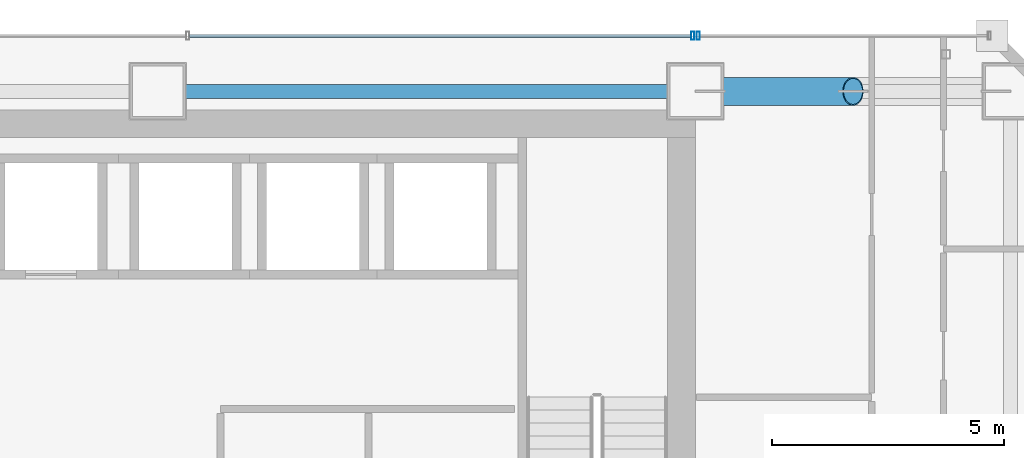
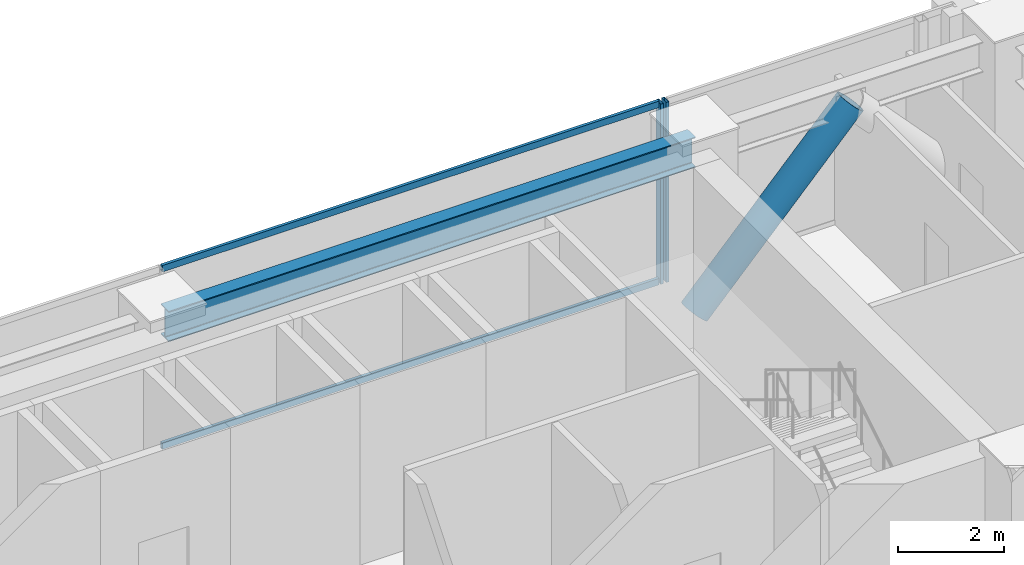
# One storey, part 31 of 40: 5 members, 1 beam, 2 elements without a shape of their own.
"""IFC4 building model written with IfcOpenShell, lengths in metres."""

from ifc_helpers import new_model, si_unit, direction, frame, origin, origin_2d, place, context, subcontext, project, spatial, hollow_rectangle, hollow_circle, i_section, extrude, material, material_profile, profile_set, type_object, element, aggregate, save


model = new_model("IFC4")

# Units and contexts
model_context = context("Model", 3, precision=1e-05, world=origin(), true_north=direction((0.0, 1.0)))
body_context = subcontext(model_context, "Body", "Model", "MODEL_VIEW")
ifc_project = project(units=[si_unit("LENGTHUNIT", "METRE"), si_unit("AREAUNIT", "SQUARE_METRE"), si_unit("VOLUMEUNIT", "CUBIC_METRE"), si_unit("PLANEANGLEUNIT", "RADIAN"), si_unit("MASSUNIT", "GRAM", prefix="KILO")], contexts=[model_context])

# Site, building, storey
site_placement = place(None, origin())
site = spatial("IfcSite", under=ifc_project, at=site_placement, CompositionType="ELEMENT")
building_placement = place(site_placement, origin())
building = spatial("IfcBuilding", under=site, at=building_placement, Name="Saevonmaru Cultural Tower", CompositionType="ELEMENT")
storey_placement = place(building_placement, frame((0.0, 0.0, 97.199951171875)))
storey = spatial("IfcBuildingStorey", under=building, at=storey_placement, Name="L20", CompositionType="ELEMENT", Elevation=97.199951171875)

# Beam
ifc_material_1 = material(Name="Steel SM355", Category="steel")
ifc_material_profile_1 = material_profile(ifc_material_1, i_section(OverallWidth=0.300048828125, OverallDepth=0.699951171875, WebThickness=0.012939453125, FlangeThickness=0.02392578125, FilletRadius=0.02587890625, at=origin_2d()), Name="H-700x300x13x24")
ifc_profile_set_1 = profile_set([ifc_material_profile_1], Name="Steel SM355")
beam_type = type_object("IfcBeamType", Name="BM-SP-H700", PredefinedType="SPANDREL", material=ifc_profile_set_1)
beam_placement = place(storey_placement, frame((34.860107421875, 54.800048828125, 3.800048828125), z_axis=(1.0, 0.0, 0.0), x_axis=(0.0, 1.0, 0.0)))
element("IfcBeam", 1, at=beam_placement, inside=storey, type_object=beam_type, Name="L20 North Spine Girder 4", PredefinedType="SPANDREL", context=body_context, shape_type="SweptSolid", body=[
    extrude(i_section(OverallWidth=0.300048828125, OverallDepth=0.699951171875, WebThickness=0.012939453125, FlangeThickness=0.02392578125, FilletRadius=0.02587890625, at=origin_2d()), origin(), (0.0, 0.0, 1.0), 11.47998046875),
])

# Member
ifc_material_2 = material(Name="Steel HSA600 (600 MPa)", Category="steel")
ifc_material_profile_2 = material_profile(ifc_material_2, hollow_circle(Radius=0.3046875, WallThickness=0.02490234375, at=origin_2d()), Name="CHS-609.6x25")
ifc_profile_set_2 = profile_set([ifc_material_profile_2], Name="Steel HSA600 (600 MPa)")
member_type_1 = type_object("IfcMemberType", Name="MB-PBR-CHS610", PredefinedType="BRACE", material=ifc_profile_set_2)
member_1_placement = place(storey_placement, frame((46.39990234375, 54.800048828125, 0.02001953125), z_axis=(0.681604731977, 0.0, 0.731720567803), x_axis=(0.0, 1.0, 0.0)))
element("IfcMember", 2, at=member_1_placement, inside=storey, type_object=member_type_1, Name="L20 Perimeter Braced-Tube Diagonal EN1", PredefinedType="BRACE", context=body_context, shape_type="SweptSolid", body=[
    extrude(hollow_circle(Radius=0.3046875, WallThickness=0.02490234375, at=origin_2d()), origin(), (0.0, 0.0, 1.0), 4.988525390625),
])

# Curtain wall, member
ifc_material_3 = material(Name="Satin Bronze Anodised Aluminium", Category="aluminium")
curtain_wall_type = type_object("IfcCurtainWallType", Name="CW-TYP-A", PredefinedType="NOTDEFINED", material=ifc_material_3)
curtain_wall_1_placement = place(storey_placement, origin())
curtain_wall_1 = element("IfcCurtainWall", 3, at=curtain_wall_1_placement, inside=storey, type_object=curtain_wall_type, Name="L20 East Braced Bay Spandrel Curtain Wall E10A", PredefinedType="NOTDEFINED")
ifc_material_profile_3 = material_profile(ifc_material_3, hollow_rectangle(XDim=0.06494140625, YDim=0.179931640625, WallThickness=0.00390625, at=origin_2d()), Name="ALU-MULL-180x65x4")
ifc_profile_set_3 = profile_set([ifc_material_profile_3], Name="Satin Bronze Anodised Aluminium")
member_type_2 = type_object("IfcMemberType", Name="ML-CW-180x65", PredefinedType="MULLION", material=ifc_profile_set_3)
member_2_placement = place(storey_placement, frame((46.4599609375, 56.0, 0.0), z_axis=(0.0, 0.0, 1.0), x_axis=(-1.0, 0.0, 0.0)))
member_2 = element("IfcMember", 4, at=member_2_placement, type_object=member_type_2, Name="CW-TW-L20-E10A mullion 2", PredefinedType="MULLION", context=body_context, shape_type="SweptSolid", body=[
    extrude(hollow_rectangle(XDim=0.06494140625, YDim=0.179931640625, WallThickness=0.00390625, at=origin_2d()), origin(), (0.0, 0.0, 1.0), 4.150146484375),
])
aggregate(curtain_wall_1, [member_2])

# Curtain wall, members
curtain_wall_2_placement = place(storey_placement, origin())
curtain_wall_2 = element("IfcCurtainWall", 5, at=curtain_wall_2_placement, inside=storey, type_object=curtain_wall_type, Name="L20 North Spine Unitised Curtain Wall E10B", PredefinedType="NOTDEFINED")
member_3_placement = place(storey_placement, frame((46.340087890625, 56.0, 0.0), z_axis=(0.0, 0.0, 1.0), x_axis=(-1.0, 0.0, 0.0)))
member_3 = element("IfcMember", 6, at=member_3_placement, type_object=member_type_2, Name="CW-TW-L20-E10B mullion 1", PredefinedType="MULLION", context=body_context, shape_type="SweptSolid", body=[
    extrude(hollow_rectangle(XDim=0.06494140625, YDim=0.179931640625, WallThickness=0.00390625, at=origin_2d()), origin(), (0.0, 0.0, 1.0), 4.150146484375),
])
ifc_material_profile_4 = material_profile(ifc_material_3, hollow_rectangle(XDim=0.06494140625, YDim=0.14990234375, WallThickness=0.00390625, at=origin_2d()), Name="ALU-TRAN-150x65x4")
ifc_profile_set_4 = profile_set([ifc_material_profile_4], Name="Satin Bronze Anodised Aluminium")
member_type_3 = type_object("IfcMemberType", Name="TR-CW-150x65", PredefinedType="USERDEFINED", material=ifc_profile_set_4)
member_4_placement = place(storey_placement, frame((46.3076171875, 56.0, 0.032470703125), z_axis=(-1.0, 0.0, 0.0), x_axis=(0.0, -1.0, 0.0)))
member_4 = element("IfcMember", 7, at=member_4_placement, type_object=member_type_3, Name="CW-TW-L20-E10B transom 1.1", ObjectType="TRANSOM", PredefinedType="USERDEFINED", context=body_context, shape_type="SweptSolid", body=[
    extrude(hollow_rectangle(XDim=0.06494140625, YDim=0.14990234375, WallThickness=0.00390625, at=origin_2d()), origin(), (0.0, 0.0, 1.0), 10.828369140625),
])
member_5_placement = place(storey_placement, frame((46.3076171875, 56.0, 4.117431640625), z_axis=(-1.0, 0.0, 0.0), x_axis=(0.0, -1.0, 0.0)))
member_5 = element("IfcMember", 8, at=member_5_placement, type_object=member_type_3, Name="CW-TW-L20-E10B transom 1.2", ObjectType="TRANSOM", PredefinedType="USERDEFINED", context=body_context, shape_type="SweptSolid", body=[
    extrude(hollow_rectangle(XDim=0.06494140625, YDim=0.14990234375, WallThickness=0.00390625, at=origin_2d()), origin(), (0.0, 0.0, 1.0), 10.828369140625),
])
aggregate(curtain_wall_2, [member_3, member_4, member_5])

save(model, "model.ifc")
